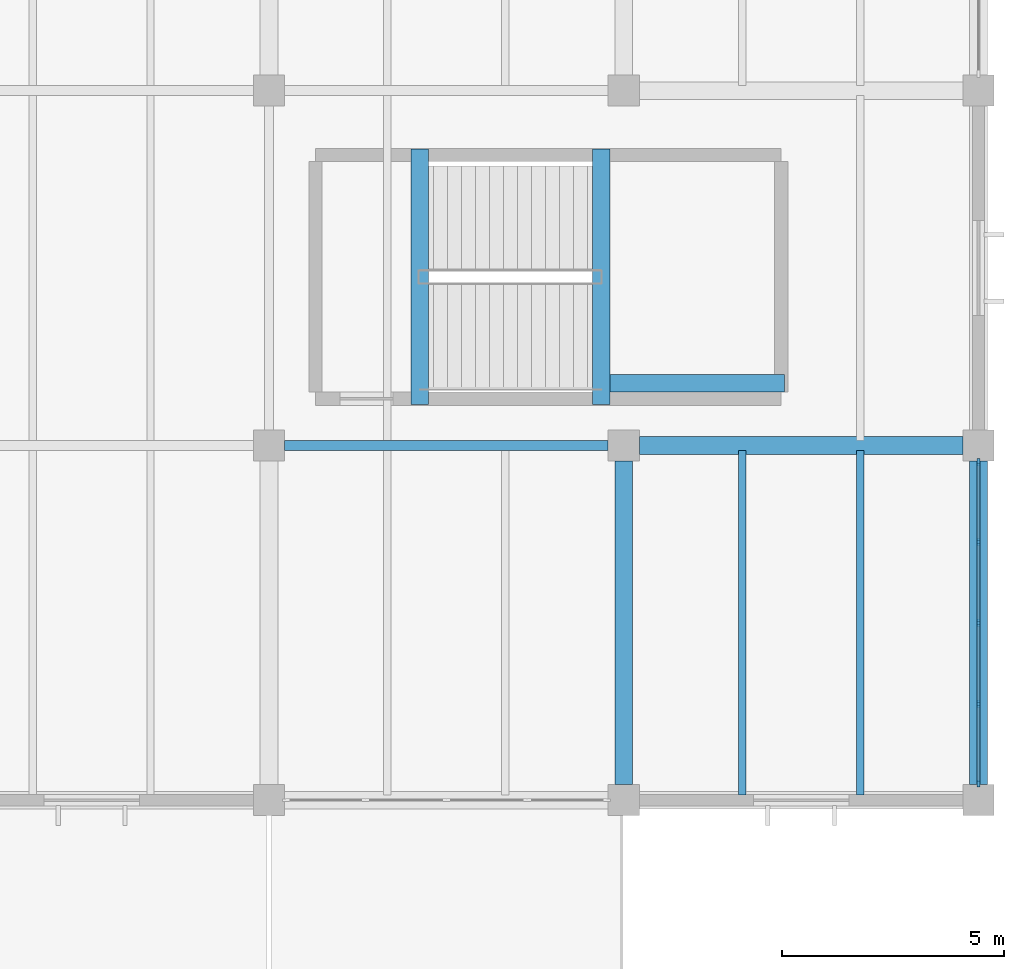
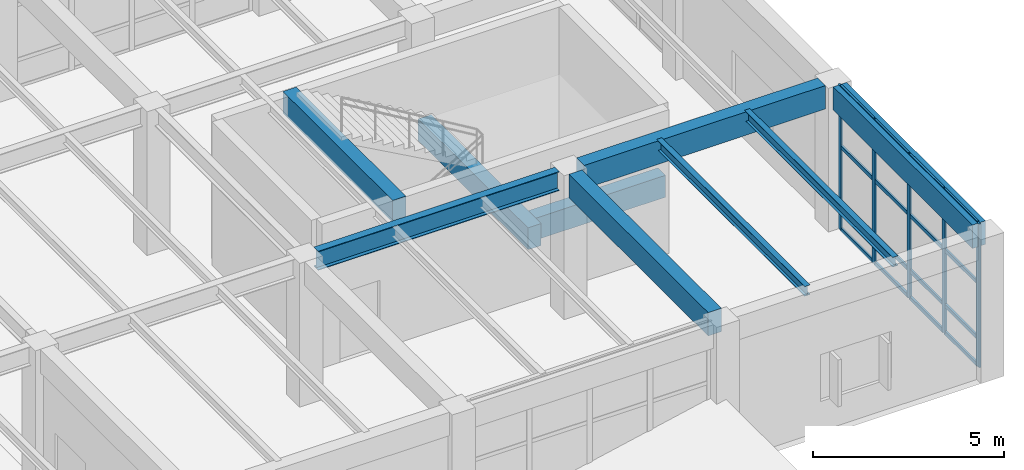
# One storey, part 27 of 60: 21 members, 9 beams, 1 element without a shape of its own.
"""IFC4 building model written with IfcOpenShell, lengths in metres."""

from ifc_helpers import new_model, si_unit, direction, frame, origin, origin_2d, place, context, subcontext, project, spatial, rectangle, i_section, extrude, material, layer, layer_set, material_profile, profile_set, type_object, element, aggregate, save


model = new_model("IFC4")

# Units and contexts
model_context = context("Model", 3, precision=1e-05, world=origin(), true_north=direction((0.0, 1.0)))
body_context = subcontext(model_context, "Body", "Model", "MODEL_VIEW")
ifc_project = project(units=[si_unit("LENGTHUNIT", "METRE"), si_unit("AREAUNIT", "SQUARE_METRE"), si_unit("VOLUMEUNIT", "CUBIC_METRE"), si_unit("PLANEANGLEUNIT", "RADIAN"), si_unit("MASSUNIT", "GRAM", prefix="KILO")], contexts=[model_context])

# Site, building, storey
site_placement = place(None, origin())
site = spatial("IfcSite", under=ifc_project, at=site_placement, CompositionType="ELEMENT")
building_placement = place(site_placement, origin())
building = spatial("IfcBuilding", under=site, at=building_placement, Name="Varnela Railside Interchange", CompositionType="ELEMENT")
storey_placement = place(building_placement, frame((0.0, 0.0, 6.300048828125)))
storey = spatial("IfcBuildingStorey", under=building, at=storey_placement, Name="L01", CompositionType="ELEMENT", Elevation=6.300048828125)

# Beams
ifc_material_1 = material(Name="Steel AR 350 (350 MPa)", Category="steel")
ifc_material_profile_1 = material_profile(ifc_material_1, i_section(OverallWidth=0.1650390625, OverallDepth=0.31005859375, WebThickness=0.005859375, FlangeThickness=0.009765625, at=origin_2d()), Name="W310x38.7")
ifc_profile_set_1 = profile_set([ifc_material_profile_1], Name="Steel AR 350 (350 MPa)")
beam_type_1 = type_object("IfcBeamType", Name="Composite Floor Joist J-04", PredefinedType="JOIST", material=ifc_profile_set_1)
for number, where, z_axis, x_axis, name in (
    (1, (158.669921875, 38.114501953125, 4.445068359375), (0.0, 1.0, 0.0), (-1.0, 0.0, 0.0), "Composite Floor Joist J-04 (L01) (BM-1531)"),
    (2, (161.330078125, 38.114501953125, 4.445068359375), (0.0, 1.0, 0.0), (-1.0, 0.0, 0.0), "Composite Floor Joist J-04 (L01) (BM-1532)"),
):
    element("IfcBeam", number, at=place(storey_placement, frame(where, z_axis=z_axis, x_axis=x_axis)), inside=storey, type_object=beam_type_1, Name=name, PredefinedType="JOIST", context=body_context, shape_type="SweptSolid", body=[
        extrude(i_section(OverallWidth=0.1650390625, OverallDepth=0.31005859375, WebThickness=0.005859375, FlangeThickness=0.009765625, at=origin_2d()), origin(), (0.0, 0.0, 1.0), 7.77099609375),
    ])
ifc_material_2 = material(Name="Concrete C40", Category="concrete")
ifc_material_profile_2 = material_profile(ifc_material_2, rectangle(XDim=0.39990234375, YDim=0.699951171875, at=origin_2d()), Name="RC 400x700")
ifc_profile_set_2 = profile_set([ifc_material_profile_2], Name="Concrete C40")
beam_type_2 = type_object("IfcBeamType", Name="Concrete Tie Beam B-01", PredefinedType="BEAM", material=ifc_profile_set_2)
for number, where, z_axis, x_axis, name in (
    (3, (151.39990234375, 46.919921875, 4.25), (0.0, 1.0, 0.0), (-1.0, 0.0, 0.0), "Concrete Tie Beam B-01 (L01) (BM-1820)"),
    (4, (155.4951171875, 46.919921875, 1.93994140625), (0.0, 1.0, 0.0), (-1.0, 0.0, 0.0), "Concrete Tie Beam B-01 (L01) (BM-1809)"),
):
    element("IfcBeam", number, at=place(storey_placement, frame(where, z_axis=z_axis, x_axis=x_axis)), inside=storey, type_object=beam_type_2, Name=name, PredefinedType="BEAM", context=body_context, shape_type="SweptSolid", body=[
        extrude(rectangle(XDim=0.39990234375, YDim=0.699951171875, at=origin_2d()), origin(), (0.0, 0.0, 1.0), 5.760009765625),
    ])
beam_1_placement = place(storey_placement, frame((155.695068359375, 47.39990234375, 1.93994140625), z_axis=(1.0, 0.0, 0.0), x_axis=(0.0, 1.0, 0.0)))
element("IfcBeam", 5, at=beam_1_placement, inside=storey, type_object=beam_type_2, Name="Concrete Tie Beam B-01 (L01) (BM-1798)", PredefinedType="BEAM", context=body_context, shape_type="SweptSolid", body=[
    extrude(rectangle(XDim=0.39990234375, YDim=0.699951171875, at=origin_2d()), origin(), (0.0, 0.0, 1.0), 3.925048828125),
])

# Curtain wall, members
ifc_material_3 = material(Name="Aluminium 6063-T6", Category="aluminium")
ifc_layer = layer(ifc_material_3, 0.035888671875)
ifc_layer_set = layer_set([ifc_layer], Name="Aluminium 6063-T6")
curtain_wall_type = type_object("IfcCurtainWallType", Name="Study Pavilion Gallery Curtain Wall CW-02", PredefinedType="USERDEFINED", material=ifc_layer_set)
curtain_wall_placement = place(storey_placement, origin())
curtain_wall = element("IfcCurtainWall", 6, at=curtain_wall_placement, inside=storey, type_object=curtain_wall_type, Name="Curtain Wall CW-02 (L01) (CW-038)", ObjectType="CURTAIN WALL", PredefinedType="USERDEFINED")
ifc_material_profile_3 = material_profile(ifc_material_3, rectangle(XDim=0.06005859375, YDim=0.159912109375, at=origin_2d()), Name="ALU 60x160")
ifc_profile_set_3 = profile_set([ifc_material_profile_3], Name="Aluminium 6063-T6")
member_type_1 = type_object("IfcMemberType", Name="Curtain Wall Mullion ML-02", PredefinedType="MULLION", material=ifc_profile_set_3)
member_1_placement = place(storey_placement, frame((164.0, 45.6201171875, 0.0), z_axis=(0.0, 0.0, 1.0), x_axis=(1.0, 0.0, 0.0)))
member_1 = element("IfcMember", 7, at=member_1_placement, type_object=member_type_1, Name="CW-02 mullion 1", PredefinedType="MULLION", context=body_context, shape_type="SweptSolid", body=[
    extrude(rectangle(XDim=0.06005859375, YDim=0.159912109375, at=origin_2d()), origin(), (0.0, 0.0, 1.0), 4.599853515625),
])
member_2_placement = place(storey_placement, frame((164.0, 43.824951171875, 0.0), z_axis=(0.0, 0.0, 1.0), x_axis=(1.0, 0.0, 0.0)))
member_2 = element("IfcMember", 8, at=member_2_placement, type_object=member_type_1, Name="CW-02 mullion 2", PredefinedType="MULLION", context=body_context, shape_type="SweptSolid", body=[
    extrude(rectangle(XDim=0.06005859375, YDim=0.159912109375, at=origin_2d()), origin(), (0.0, 0.0, 1.0), 4.599853515625),
])
member_3_placement = place(storey_placement, frame((164.0, 42.0, 0.0), z_axis=(0.0, 0.0, 1.0), x_axis=(1.0, 0.0, 0.0)))
member_3 = element("IfcMember", 9, at=member_3_placement, type_object=member_type_1, Name="CW-02 mullion 3", PredefinedType="MULLION", context=body_context, shape_type="SweptSolid", body=[
    extrude(rectangle(XDim=0.06005859375, YDim=0.159912109375, at=origin_2d()), origin(), (0.0, 0.0, 1.0), 4.599853515625),
])
member_4_placement = place(storey_placement, frame((164.0, 40.175048828125, 0.0), z_axis=(0.0, 0.0, 1.0), x_axis=(1.0, 0.0, 0.0)))
member_4 = element("IfcMember", 10, at=member_4_placement, type_object=member_type_1, Name="CW-02 mullion 4", PredefinedType="MULLION", context=body_context, shape_type="SweptSolid", body=[
    extrude(rectangle(XDim=0.06005859375, YDim=0.159912109375, at=origin_2d()), origin(), (0.0, 0.0, 1.0), 4.599853515625),
])
member_5_placement = place(storey_placement, frame((164.0, 38.3798828125, 0.0), z_axis=(0.0, 0.0, 1.0), x_axis=(1.0, 0.0, 0.0)))
member_5 = element("IfcMember", 11, at=member_5_placement, type_object=member_type_1, Name="CW-02 mullion 5", PredefinedType="MULLION", context=body_context, shape_type="SweptSolid", body=[
    extrude(rectangle(XDim=0.06005859375, YDim=0.159912109375, at=origin_2d()), origin(), (0.0, 0.0, 1.0), 4.599853515625),
])
ifc_material_profile_4 = material_profile(ifc_material_3, rectangle(XDim=0.06005859375, YDim=0.1201171875, at=origin_2d()), Name="ALU 60x120")
ifc_profile_set_4 = profile_set([ifc_material_profile_4], Name="Aluminium 6063-T6")
member_type_2 = type_object("IfcMemberType", Name="Curtain Wall Transom TR-02", PredefinedType="USERDEFINED", material=ifc_profile_set_4)
member_6_placement = place(storey_placement, frame((164.0, 45.590087890625, 0.030029296875), z_axis=(0.0, -1.0, 0.0), x_axis=(1.0, 0.0, 0.0)))
member_6 = element("IfcMember", 12, at=member_6_placement, type_object=member_type_2, Name="CW-02 transom 1.1", ObjectType="TRANSOM", PredefinedType="USERDEFINED", context=body_context, shape_type="SweptSolid", body=[
    extrude(rectangle(XDim=0.06005859375, YDim=0.1201171875, at=origin_2d()), origin(), (0.0, 0.0, 1.0), 1.735107421875),
])
member_7_placement = place(storey_placement, frame((164.0, 45.590087890625, 0.89990234375), z_axis=(0.0, -1.0, 0.0), x_axis=(1.0, 0.0, 0.0)))
member_7 = element("IfcMember", 13, at=member_7_placement, type_object=member_type_2, Name="CW-02 transom 1.2", ObjectType="TRANSOM", PredefinedType="USERDEFINED", context=body_context, shape_type="SweptSolid", body=[
    extrude(rectangle(XDim=0.06005859375, YDim=0.1201171875, at=origin_2d()), origin(), (0.0, 0.0, 1.0), 1.735107421875),
])
member_8_placement = place(storey_placement, frame((164.0, 45.590087890625, 2.66796875), z_axis=(0.0, -1.0, 0.0), x_axis=(1.0, 0.0, 0.0)))
member_8 = element("IfcMember", 14, at=member_8_placement, type_object=member_type_2, Name="CW-02 transom 1.3", ObjectType="TRANSOM", PredefinedType="USERDEFINED", context=body_context, shape_type="SweptSolid", body=[
    extrude(rectangle(XDim=0.06005859375, YDim=0.1201171875, at=origin_2d()), origin(), (0.0, 0.0, 1.0), 1.735107421875),
])
member_9_placement = place(storey_placement, frame((164.0, 45.590087890625, 4.570068359375), z_axis=(0.0, -1.0, 0.0), x_axis=(1.0, 0.0, 0.0)))
member_9 = element("IfcMember", 15, at=member_9_placement, type_object=member_type_2, Name="CW-02 transom 1.4", ObjectType="TRANSOM", PredefinedType="USERDEFINED", context=body_context, shape_type="SweptSolid", body=[
    extrude(rectangle(XDim=0.06005859375, YDim=0.1201171875, at=origin_2d()), origin(), (0.0, 0.0, 1.0), 1.735107421875),
])
member_10_placement = place(storey_placement, frame((164.0, 43.794921875, 0.030029296875), z_axis=(0.0, -1.0, 0.0), x_axis=(1.0, 0.0, 0.0)))
member_10 = element("IfcMember", 16, at=member_10_placement, type_object=member_type_2, Name="CW-02 transom 2.1", ObjectType="TRANSOM", PredefinedType="USERDEFINED", context=body_context, shape_type="SweptSolid", body=[
    extrude(rectangle(XDim=0.06005859375, YDim=0.1201171875, at=origin_2d()), origin(), (0.0, 0.0, 1.0), 1.764892578125),
])
member_11_placement = place(storey_placement, frame((164.0, 43.794921875, 0.89990234375), z_axis=(0.0, -1.0, 0.0), x_axis=(1.0, 0.0, 0.0)))
member_11 = element("IfcMember", 17, at=member_11_placement, type_object=member_type_2, Name="CW-02 transom 2.2", ObjectType="TRANSOM", PredefinedType="USERDEFINED", context=body_context, shape_type="SweptSolid", body=[
    extrude(rectangle(XDim=0.06005859375, YDim=0.1201171875, at=origin_2d()), origin(), (0.0, 0.0, 1.0), 1.764892578125),
])
member_12_placement = place(storey_placement, frame((164.0, 43.794921875, 2.66796875), z_axis=(0.0, -1.0, 0.0), x_axis=(1.0, 0.0, 0.0)))
member_12 = element("IfcMember", 18, at=member_12_placement, type_object=member_type_2, Name="CW-02 transom 2.3", ObjectType="TRANSOM", PredefinedType="USERDEFINED", context=body_context, shape_type="SweptSolid", body=[
    extrude(rectangle(XDim=0.06005859375, YDim=0.1201171875, at=origin_2d()), origin(), (0.0, 0.0, 1.0), 1.764892578125),
])
member_13_placement = place(storey_placement, frame((164.0, 43.794921875, 4.570068359375), z_axis=(0.0, -1.0, 0.0), x_axis=(1.0, 0.0, 0.0)))
member_13 = element("IfcMember", 19, at=member_13_placement, type_object=member_type_2, Name="CW-02 transom 2.4", ObjectType="TRANSOM", PredefinedType="USERDEFINED", context=body_context, shape_type="SweptSolid", body=[
    extrude(rectangle(XDim=0.06005859375, YDim=0.1201171875, at=origin_2d()), origin(), (0.0, 0.0, 1.0), 1.764892578125),
])
member_14_placement = place(storey_placement, frame((164.0, 41.969970703125, 0.030029296875), z_axis=(0.0, -1.0, 0.0), x_axis=(1.0, 0.0, 0.0)))
member_14 = element("IfcMember", 20, at=member_14_placement, type_object=member_type_2, Name="CW-02 transom 3.1", ObjectType="TRANSOM", PredefinedType="USERDEFINED", context=body_context, shape_type="SweptSolid", body=[
    extrude(rectangle(XDim=0.06005859375, YDim=0.1201171875, at=origin_2d()), origin(), (0.0, 0.0, 1.0), 1.764892578125),
])
member_15_placement = place(storey_placement, frame((164.0, 41.969970703125, 0.89990234375), z_axis=(0.0, -1.0, 0.0), x_axis=(1.0, 0.0, 0.0)))
member_15 = element("IfcMember", 21, at=member_15_placement, type_object=member_type_2, Name="CW-02 transom 3.2", ObjectType="TRANSOM", PredefinedType="USERDEFINED", context=body_context, shape_type="SweptSolid", body=[
    extrude(rectangle(XDim=0.06005859375, YDim=0.1201171875, at=origin_2d()), origin(), (0.0, 0.0, 1.0), 1.764892578125),
])
member_16_placement = place(storey_placement, frame((164.0, 41.969970703125, 2.66796875), z_axis=(0.0, -1.0, 0.0), x_axis=(1.0, 0.0, 0.0)))
member_16 = element("IfcMember", 22, at=member_16_placement, type_object=member_type_2, Name="CW-02 transom 3.3", ObjectType="TRANSOM", PredefinedType="USERDEFINED", context=body_context, shape_type="SweptSolid", body=[
    extrude(rectangle(XDim=0.06005859375, YDim=0.1201171875, at=origin_2d()), origin(), (0.0, 0.0, 1.0), 1.764892578125),
])
member_17_placement = place(storey_placement, frame((164.0, 41.969970703125, 4.570068359375), z_axis=(0.0, -1.0, 0.0), x_axis=(1.0, 0.0, 0.0)))
member_17 = element("IfcMember", 23, at=member_17_placement, type_object=member_type_2, Name="CW-02 transom 3.4", ObjectType="TRANSOM", PredefinedType="USERDEFINED", context=body_context, shape_type="SweptSolid", body=[
    extrude(rectangle(XDim=0.06005859375, YDim=0.1201171875, at=origin_2d()), origin(), (0.0, 0.0, 1.0), 1.764892578125),
])
member_18_placement = place(storey_placement, frame((164.0, 40.14501953125, 0.030029296875), z_axis=(0.0, -1.0, 0.0), x_axis=(1.0, 0.0, 0.0)))
member_18 = element("IfcMember", 24, at=member_18_placement, type_object=member_type_2, Name="CW-02 transom 4.1", ObjectType="TRANSOM", PredefinedType="USERDEFINED", context=body_context, shape_type="SweptSolid", body=[
    extrude(rectangle(XDim=0.06005859375, YDim=0.1201171875, at=origin_2d()), origin(), (0.0, 0.0, 1.0), 1.735107421875),
])
member_19_placement = place(storey_placement, frame((164.0, 40.14501953125, 0.89990234375), z_axis=(0.0, -1.0, 0.0), x_axis=(1.0, 0.0, 0.0)))
member_19 = element("IfcMember", 25, at=member_19_placement, type_object=member_type_2, Name="CW-02 transom 4.2", ObjectType="TRANSOM", PredefinedType="USERDEFINED", context=body_context, shape_type="SweptSolid", body=[
    extrude(rectangle(XDim=0.06005859375, YDim=0.1201171875, at=origin_2d()), origin(), (0.0, 0.0, 1.0), 1.735107421875),
])
member_20_placement = place(storey_placement, frame((164.0, 40.14501953125, 2.66796875), z_axis=(0.0, -1.0, 0.0), x_axis=(1.0, 0.0, 0.0)))
member_20 = element("IfcMember", 26, at=member_20_placement, type_object=member_type_2, Name="CW-02 transom 4.3", ObjectType="TRANSOM", PredefinedType="USERDEFINED", context=body_context, shape_type="SweptSolid", body=[
    extrude(rectangle(XDim=0.06005859375, YDim=0.1201171875, at=origin_2d()), origin(), (0.0, 0.0, 1.0), 1.735107421875),
])
member_21_placement = place(storey_placement, frame((164.0, 40.14501953125, 4.570068359375), z_axis=(0.0, -1.0, 0.0), x_axis=(1.0, 0.0, 0.0)))
member_21 = element("IfcMember", 27, at=member_21_placement, type_object=member_type_2, Name="CW-02 transom 4.4", ObjectType="TRANSOM", PredefinedType="USERDEFINED", context=body_context, shape_type="SweptSolid", body=[
    extrude(rectangle(XDim=0.06005859375, YDim=0.1201171875, at=origin_2d()), origin(), (0.0, 0.0, 1.0), 1.735107421875),
])
aggregate(curtain_wall, [member_1, member_2, member_3, member_4, member_5, member_6, member_7, member_8, member_9, member_10, member_11, member_12, member_13, member_14, member_15, member_16, member_17, member_18, member_19, member_20, member_21])

# Beams
ifc_material_profile_5 = material_profile(ifc_material_1, i_section(OverallWidth=0.22900390625, OverallDepth=0.612060546875, WebThickness=0.011962890625, FlangeThickness=0.01953125, at=origin_2d()), Name="W610x125")
ifc_profile_set_5 = profile_set([ifc_material_profile_5], Name="Steel AR 350 (350 MPa)")
beam_type_3 = type_object("IfcBeamType", Name="Podium Composite Girder B-15", PredefinedType="BEAM", material=ifc_profile_set_5)
beam_2_placement = place(storey_placement, frame((148.35009765625, 46.0, 4.2939453125), z_axis=(1.0, 0.0, 0.0), x_axis=(0.0, 1.0, 0.0)))
element("IfcBeam", 28, at=beam_2_placement, inside=storey, type_object=beam_type_3, Name="Podium Composite Girder B-15 (L01) (BM-1630)", PredefinedType="BEAM", context=body_context, shape_type="SweptSolid", body=[
    extrude(i_section(OverallWidth=0.22900390625, OverallDepth=0.612060546875, WebThickness=0.011962890625, FlangeThickness=0.01953125, at=origin_2d()), origin(), (0.0, 0.0, 1.0), 7.2998046875),
])
ifc_material_4 = material(Name="Concrete C40 precast", Category="concrete")
ifc_material_profile_6 = material_profile(ifc_material_4, rectangle(XDim=0.39990234375, YDim=0.75, at=origin_2d()), Name="PC 400x750")
ifc_profile_set_6 = profile_set([ifc_material_profile_6], Name="Concrete C40 precast")
beam_type_4 = type_object("IfcBeamType", Name="Precast Facade Spandrel SP-03", PredefinedType="SPANDREL", material=ifc_profile_set_6)
for number, where, z_axis, x_axis, name in (
    (29, (156.35009765625, 46.0, 4.224853515625), (1.0, 0.0, 0.0), (0.0, 1.0, 0.0), "Precast Facade Spandrel SP-03 (L01) (BM-1631)"),
    (30, (156.0, 38.35009765625, 4.224853515625), (0.0, 1.0, 0.0), (-1.0, 0.0, 0.0), "Precast Facade Spandrel SP-03 (L01) (BM-1745)"),
    (31, (164.0, 38.35009765625, 4.224853515625), (0.0, 1.0, 0.0), (-1.0, 0.0, 0.0), "Precast Facade Spandrel SP-03 (L01) (BM-1747)"),
):
    element("IfcBeam", number, at=place(storey_placement, frame(where, z_axis=z_axis, x_axis=x_axis)), inside=storey, type_object=beam_type_4, Name=name, PredefinedType="SPANDREL", context=body_context, shape_type="SweptSolid", body=[
        extrude(rectangle(XDim=0.39990234375, YDim=0.75, at=origin_2d()), origin(), (0.0, 0.0, 1.0), 7.2998046875),
    ])

save(model, "model.ifc")
